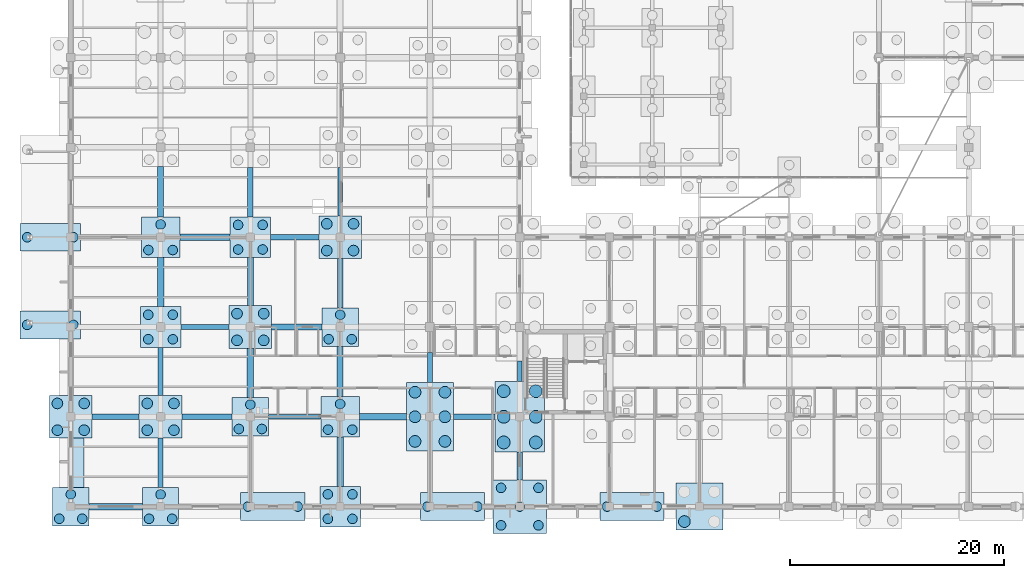
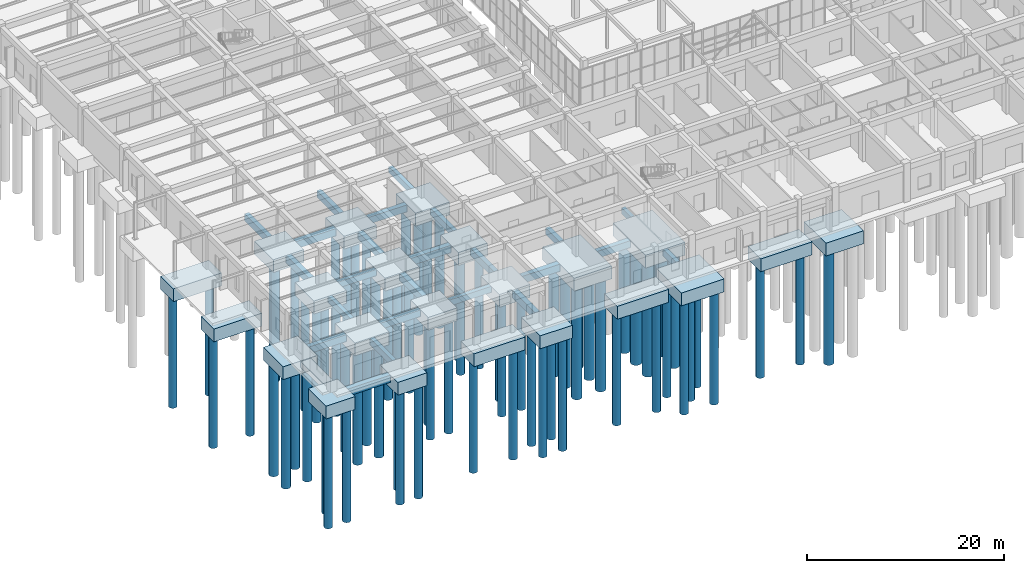
# One storey, part 1 of 192: 74 piles, 47 footings.
"""IFC4 building model written with IfcOpenShell, lengths in metres."""

from ifc_helpers import new_model, si_unit, direction, frame, origin, origin_2d, place, context, subcontext, project, spatial, rectangle, circle, extrude, material, layer, layer_set, material_profile, profile_set, type_object, element, save


model = new_model("IFC4")

# Units and contexts
model_context = context("Model", 3, precision=1e-05, world=origin(), true_north=direction((0.0, 1.0)))
body_context = subcontext(model_context, "Body", "Model", "MODEL_VIEW")
ifc_project = project(units=[si_unit("LENGTHUNIT", "METRE"), si_unit("AREAUNIT", "SQUARE_METRE"), si_unit("VOLUMEUNIT", "CUBIC_METRE"), si_unit("PLANEANGLEUNIT", "RADIAN"), si_unit("MASSUNIT", "GRAM", prefix="KILO")], contexts=[model_context])

# Site, building, storey
site_placement = place(None, origin())
site = spatial("IfcSite", under=ifc_project, at=site_placement, CompositionType="ELEMENT")
building_placement = place(site_placement, origin())
building = spatial("IfcBuilding", under=site, at=building_placement, Name="Trelvath General Hospital", CompositionType="ELEMENT")
storey_placement = place(building_placement, origin())
storey = spatial("IfcBuildingStorey", under=building, at=storey_placement, Name="L00", CompositionType="ELEMENT", Elevation=0.0)

# Piles
ifc_material_1 = material(Name="Concrete C35/45", Category="concrete")
ifc_material_profile_1 = material_profile(ifc_material_1, circle(Radius=0.5, at=origin_2d()), Name="PILE1000")
ifc_profile_set_1 = profile_set([ifc_material_profile_1], Name="Concrete C35/45")
pile_type_1 = type_object("IfcPileType", Name="BoredPile D1000", PredefinedType="BORED", material=ifc_profile_set_1)
for number, where, z_axis, x_axis, name in (
    (1, (-1.25, 7.14990234375, -1.800048828125), (0.0, 0.0, -1.0), (1.0, 0.0, 0.0), "Bored Pile P-0010"),
    (2, (1.25, 7.14990234375, -1.800048828125), (0.0, 0.0, -1.0), (1.0, 0.0, 0.0), "Bored Pile P-0011"),
    (3, (-1.25, 9.64990234375, -1.800048828125), (0.0, 0.0, -1.0), (1.0, 0.0, 0.0), "Bored Pile P-0012"),
    (4, (1.25, 9.64990234375, -1.800048828125), (0.0, 0.0, -1.0), (1.0, 0.0, 0.0), "Bored Pile P-0013"),
    (5, (7.14990234375, 7.14990234375, -1.800048828125), (0.0, 0.0, -1.0), (1.0, 0.0, 0.0), "Bored Pile P-0052"),
    (6, (9.64990234375, 7.14990234375, -1.800048828125), (0.0, 0.0, -1.0), (1.0, 0.0, 0.0), "Bored Pile P-0053"),
    (7, (7.14990234375, 9.64990234375, -1.800048828125), (0.0, 0.0, -1.0), (1.0, 0.0, 0.0), "Bored Pile P-0054"),
    (8, (9.64990234375, 9.64990234375, -1.800048828125), (0.0, 0.0, -1.0), (1.0, 0.0, 0.0), "Bored Pile P-0055"),
    (9, (15.550048828125, 15.550048828125, -1.800048828125), (0.0, 0.0, -1.0), (1.0, 0.0, 0.0), "Bored Pile P-0119"),
    (10, (18.050048828125, 15.550048828125, -1.800048828125), (0.0, 0.0, -1.0), (1.0, 0.0, 0.0), "Bored Pile P-0120"),
    (11, (15.550048828125, 18.050048828125, -1.800048828125), (0.0, 0.0, -1.0), (1.0, 0.0, 0.0), "Bored Pile P-0121"),
    (12, (18.050048828125, 18.050048828125, -1.800048828125), (0.0, 0.0, -1.0), (1.0, 0.0, 0.0), "Bored Pile P-0122"),
    (13, (23.949951171875, 23.949951171875, -1.800048828125), (0.0, 0.0, -1.0), (1.0, 0.0, 0.0), "Bored Pile P-0185"),
    (14, (26.449951171875, 23.949951171875, -1.800048828125), (0.0, 0.0, -1.0), (1.0, 0.0, 0.0), "Bored Pile P-0186"),
    (15, (23.949951171875, 26.449951171875, -1.800048828125), (0.0, 0.0, -1.0), (1.0, 0.0, 0.0), "Bored Pile P-0187"),
    (16, (26.449951171875, 26.449951171875, -1.800048828125), (0.0, 0.0, -1.0), (1.0, 0.0, 0.0), "Bored Pile P-0188"),
):
    element("IfcPile", number, at=place(storey_placement, frame(where, z_axis=z_axis, x_axis=x_axis)), inside=storey, type_object=pile_type_1, Name=name, PredefinedType="BORED", context=body_context, shape_type="SweptSolid", body=[
        extrude(circle(Radius=0.5, at=origin_2d()), origin(), (0.0, 0.0, 1.0), 14.0),
    ])
ifc_material_2 = material(Name="Concrete C35/45", Category="concrete")
ifc_material_profile_2 = material_profile(ifc_material_2, circle(Radius=0.550048828125, at=origin_2d()), Name="PILE1100")
ifc_profile_set_2 = profile_set([ifc_material_profile_2], Name="Concrete C35/45")
pile_type_2 = type_object("IfcPileType", Name="BoredPile D1100", PredefinedType="BORED", material=ifc_profile_set_2)
for number, where, z_axis, x_axis, name in (
    (17, (32.199951171875, 6.10009765625, -1.800048828125), (0.0, 0.0, -1.0), (1.0, 0.0, 0.0), "Bored Pile P-0241"),
    (18, (35.0, 6.10009765625, -1.800048828125), (0.0, 0.0, -1.0), (1.0, 0.0, 0.0), "Bored Pile P-0242"),
    (19, (32.199951171875, 8.39990234375, -1.800048828125), (0.0, 0.0, -1.0), (1.0, 0.0, 0.0), "Bored Pile P-0243"),
    (20, (35.0, 8.39990234375, -1.800048828125), (0.0, 0.0, -1.0), (1.0, 0.0, 0.0), "Bored Pile P-0244"),
    (21, (32.199951171875, 10.699951171875, -1.800048828125), (0.0, 0.0, -1.0), (1.0, 0.0, 0.0), "Bored Pile P-0245"),
    (22, (35.0, 10.699951171875, -1.800048828125), (0.0, 0.0, -1.0), (1.0, 0.0, 0.0), "Bored Pile P-0246"),
    (23, (57.39990234375, -1.39990234375, -1.800048828125), (0.0, 0.0, -1.0), (1.0, 0.0, 0.0), "Bored Pile P-0428"),
):
    element("IfcPile", number, at=place(storey_placement, frame(where, z_axis=z_axis, x_axis=x_axis)), inside=storey, type_object=pile_type_2, Name=name, PredefinedType="BORED", context=body_context, shape_type="SweptSolid", body=[
        extrude(circle(Radius=0.550048828125, at=origin_2d()), origin(), (0.0, 0.0, 1.0), 14.0),
    ])
ifc_material_3 = material(Name="Concrete C35/45", Category="concrete")
ifc_material_profile_3 = material_profile(ifc_material_3, circle(Radius=0.60009765625, at=origin_2d()), Name="PILE1200")
ifc_profile_set_3 = profile_set([ifc_material_profile_3], Name="Concrete C35/45")
pile_type_3 = type_object("IfcPileType", Name="BoredPile D1200", PredefinedType="BORED", material=ifc_profile_set_3)
for number, where, z_axis, x_axis, name in (
    (24, (40.5, 6.0, -1.800048828125), (0.0, 0.0, -1.0), (1.0, 0.0, 0.0), "Bored Pile P-0305"),
    (25, (43.5, 6.0, -1.800048828125), (0.0, 0.0, -1.0), (1.0, 0.0, 0.0), "Bored Pile P-0306"),
    (26, (40.5, 8.39990234375, -1.800048828125), (0.0, 0.0, -1.0), (1.0, 0.0, 0.0), "Bored Pile P-0307"),
    (27, (43.5, 8.39990234375, -1.800048828125), (0.0, 0.0, -1.0), (1.0, 0.0, 0.0), "Bored Pile P-0308"),
    (28, (40.5, 10.800048828125, -1.800048828125), (0.0, 0.0, -1.0), (1.0, 0.0, 0.0), "Bored Pile P-0309"),
    (29, (43.5, 10.800048828125, -1.800048828125), (0.0, 0.0, -1.0), (1.0, 0.0, 0.0), "Bored Pile P-0310"),
):
    element("IfcPile", number, at=place(storey_placement, frame(where, z_axis=z_axis, x_axis=x_axis)), inside=storey, type_object=pile_type_3, Name=name, PredefinedType="BORED", context=body_context, shape_type="SweptSolid", body=[
        extrude(circle(Radius=0.60009765625, at=origin_2d()), origin(), (0.0, 0.0, 1.0), 14.0),
    ])
ifc_material_4 = material(Name="Concrete C35/45", Category="concrete")
ifc_material_profile_4 = material_profile(ifc_material_4, circle(Radius=0.449951171875, at=origin_2d()), Name="PILE900")
ifc_profile_set_4 = profile_set([ifc_material_profile_4], Name="Concrete C35/45")
pile_type_4 = type_object("IfcPileType", Name="BoredPile D900", PredefinedType="BORED", material=ifc_profile_set_4)
for number, where, z_axis, x_axis, name in (
    (30, (-4.080078125, 17.0, -1.800048828125), (0.0, 0.0, -1.0), (1.0, 0.0, 0.0), "Bored Pile P-0001"),
    (31, (0.22998046875, 17.0, -1.800048828125), (0.0, 0.0, -1.0), (1.0, 0.0, 0.0), "Bored Pile P-0002"),
    (32, (-4.080078125, 25.199951171875, -1.800048828125), (0.0, 0.0, -1.0), (1.0, 0.0, 0.0), "Bored Pile P-0003"),
    (33, (0.22998046875, 25.199951171875, -1.800048828125), (0.0, 0.0, -1.0), (1.0, 0.0, 0.0), "Bored Pile P-0004"),
    (34, (-1.080078125, -1.139892578125, -1.800048828125), (0.0, 0.0, -1.0), (1.0, 0.0, 0.0), "Bored Pile P-0007"),
    (35, (1.080078125, -1.139892578125, -1.800048828125), (0.0, 0.0, -1.0), (1.0, 0.0, 0.0), "Bored Pile P-0008"),
    (36, (0.0, 1.139892578125, -1.800048828125), (0.0, 0.0, -1.0), (1.0, 0.0, 0.0), "Bored Pile P-0009"),
    (37, (7.320068359375, -1.139892578125, -1.800048828125), (0.0, 0.0, -1.0), (1.0, 0.0, 0.0), "Bored Pile P-0049"),
    (38, (9.47998046875, -1.139892578125, -1.800048828125), (0.0, 0.0, -1.0), (1.0, 0.0, 0.0), "Bored Pile P-0050"),
    (39, (8.39990234375, 1.139892578125, -1.800048828125), (0.0, 0.0, -1.0), (1.0, 0.0, 0.0), "Bored Pile P-0051"),
    (40, (7.25, 15.64990234375, -1.800048828125), (0.0, 0.0, -1.0), (1.0, 0.0, 0.0), "Bored Pile P-0056"),
    (41, (9.550048828125, 15.64990234375, -1.800048828125), (0.0, 0.0, -1.0), (1.0, 0.0, 0.0), "Bored Pile P-0057"),
    (42, (7.25, 17.949951171875, -1.800048828125), (0.0, 0.0, -1.0), (1.0, 0.0, 0.0), "Bored Pile P-0058"),
    (43, (9.550048828125, 17.949951171875, -1.800048828125), (0.0, 0.0, -1.0), (1.0, 0.0, 0.0), "Bored Pile P-0059"),
    (44, (7.260009765625, 24.0, -1.800048828125), (0.0, 0.0, -1.0), (1.0, 0.0, 0.0), "Bored Pile P-0060"),
    (45, (9.5400390625, 24.0, -1.800048828125), (0.0, 0.0, -1.0), (1.0, 0.0, 0.0), "Bored Pile P-0061"),
    (46, (8.39990234375, 26.39990234375, -1.800048828125), (0.0, 0.0, -1.0), (1.0, 0.0, 0.0), "Bored Pile P-0062"),
    (47, (16.570068359375, 0.0, -1.800048828125), (0.0, 0.0, -1.0), (1.0, 0.0, 0.0), "Bored Pile P-0114"),
    (48, (21.22998046875, 0.0, -1.800048828125), (0.0, 0.0, -1.0), (1.0, 0.0, 0.0), "Bored Pile P-0115"),
    (49, (15.719970703125, 7.260009765625, -1.800048828125), (0.0, 0.0, -1.0), (1.0, 0.0, 0.0), "Bored Pile P-0116"),
    (50, (17.8798828125, 7.260009765625, -1.800048828125), (0.0, 0.0, -1.0), (1.0, 0.0, 0.0), "Bored Pile P-0117"),
    (51, (16.800048828125, 9.5400390625, -1.800048828125), (0.0, 0.0, -1.0), (1.0, 0.0, 0.0), "Bored Pile P-0118"),
    (52, (15.64990234375, 24.050048828125, -1.800048828125), (0.0, 0.0, -1.0), (1.0, 0.0, 0.0), "Bored Pile P-0123"),
    (53, (17.949951171875, 24.050048828125, -1.800048828125), (0.0, 0.0, -1.0), (1.0, 0.0, 0.0), "Bored Pile P-0124"),
    (54, (15.64990234375, 26.35009765625, -1.800048828125), (0.0, 0.0, -1.0), (1.0, 0.0, 0.0), "Bored Pile P-0125"),
    (55, (17.949951171875, 26.35009765625, -1.800048828125), (0.0, 0.0, -1.0), (1.0, 0.0, 0.0), "Bored Pile P-0126"),
    (56, (24.050048828125, -1.14990234375, -1.800048828125), (0.0, 0.0, -1.0), (1.0, 0.0, 0.0), "Bored Pile P-0175"),
    (57, (26.35009765625, -1.14990234375, -1.800048828125), (0.0, 0.0, -1.0), (1.0, 0.0, 0.0), "Bored Pile P-0176"),
    (58, (24.050048828125, 1.14990234375, -1.800048828125), (0.0, 0.0, -1.0), (1.0, 0.0, 0.0), "Bored Pile P-0177"),
    (59, (26.35009765625, 1.14990234375, -1.800048828125), (0.0, 0.0, -1.0), (1.0, 0.0, 0.0), "Bored Pile P-0178"),
    (60, (24.06005859375, 7.199951171875, -1.800048828125), (0.0, 0.0, -1.0), (1.0, 0.0, 0.0), "Bored Pile P-0179"),
    (61, (26.340087890625, 7.199951171875, -1.800048828125), (0.0, 0.0, -1.0), (1.0, 0.0, 0.0), "Bored Pile P-0180"),
    (62, (25.199951171875, 9.60009765625, -1.800048828125), (0.0, 0.0, -1.0), (1.0, 0.0, 0.0), "Bored Pile P-0181"),
    (63, (24.1201171875, 15.659912109375, -1.800048828125), (0.0, 0.0, -1.0), (1.0, 0.0, 0.0), "Bored Pile P-0182"),
    (64, (26.280029296875, 15.659912109375, -1.800048828125), (0.0, 0.0, -1.0), (1.0, 0.0, 0.0), "Bored Pile P-0183"),
    (65, (25.199951171875, 17.93994140625, -1.800048828125), (0.0, 0.0, -1.0), (1.0, 0.0, 0.0), "Bored Pile P-0184"),
    (66, (33.3701171875, 0.0, -1.800048828125), (0.0, 0.0, -1.0), (1.0, 0.0, 0.0), "Bored Pile P-0239"),
    (67, (38.030029296875, 0.0, -1.800048828125), (0.0, 0.0, -1.0), (1.0, 0.0, 0.0), "Bored Pile P-0240"),
    (68, (40.25, -1.75, -1.800048828125), (0.0, 0.0, -1.0), (1.0, 0.0, 0.0), "Bored Pile P-0300"),
    (69, (43.75, -1.75, -1.800048828125), (0.0, 0.0, -1.0), (1.0, 0.0, 0.0), "Bored Pile P-0301"),
    (70, (42.0, 0.0, -1.800048828125), (0.0, 0.0, -1.0), (1.0, 0.0, 0.0), "Bored Pile P-0302"),
    (71, (40.25, 1.75, -1.800048828125), (0.0, 0.0, -1.0), (1.0, 0.0, 0.0), "Bored Pile P-0303"),
    (72, (43.75, 1.75, -1.800048828125), (0.0, 0.0, -1.0), (1.0, 0.0, 0.0), "Bored Pile P-0304"),
    (73, (50.169921875, 0.0, -1.800048828125), (0.0, 0.0, -1.0), (1.0, 0.0, 0.0), "Bored Pile P-0380"),
    (74, (54.830078125, 0.0, -1.800048828125), (0.0, 0.0, -1.0), (1.0, 0.0, 0.0), "Bored Pile P-0381"),
):
    element("IfcPile", number, at=place(storey_placement, frame(where, z_axis=z_axis, x_axis=x_axis)), inside=storey, type_object=pile_type_4, Name=name, PredefinedType="BORED", context=body_context, shape_type="SweptSolid", body=[
        extrude(circle(Radius=0.449951171875, at=origin_2d()), origin(), (0.0, 0.0, 1.0), 14.0),
    ])

# Footings
ifc_material_5 = material(Name="Concrete C35/45", Category="concrete")
ifc_layer_1 = layer(ifc_material_5, 1.60009765625)
ifc_layer_set_1 = layer_set([ifc_layer_1], Name="Concrete C35/45")
footing_type_1 = type_object("IfcFootingType", Name="PileCap 3P 340x360", PredefinedType="PILE_CAP", material=ifc_layer_set_1)
for number, where, z_axis, x_axis, name in (
    (75, (0.0, 0.0, -1.900146484375), (0.0, 0.0, 1.0), (1.0, 0.0, 0.0), "Pile Cap PC-004"),
    (76, (8.39990234375, 0.0, -1.900146484375), (0.0, 0.0, 1.0), (1.0, 0.0, 0.0), "Pile Cap PC-016"),
    (77, (16.800048828125, 8.39990234375, -1.900146484375), (0.0, 0.0, 1.0), (1.0, 0.0, 0.0), "Pile Cap PC-032"),
    (78, (25.199951171875, 16.800048828125, -1.900146484375), (0.0, 0.0, 1.0), (1.0, 0.0, 0.0), "Pile Cap PC-048"),
):
    element("IfcFooting", number, at=place(storey_placement, frame(where, z_axis=z_axis, x_axis=x_axis)), inside=storey, type_object=footing_type_1, Name=name, PredefinedType="PILE_CAP", context=body_context, shape_type="SweptSolid", body=[
        extrude(rectangle(XDim=3.39990234375, YDim=3.60009765625, at=origin_2d()), origin(), (0.0, 0.0, 1.0), 1.60009765625),
    ])
ifc_material_6 = material(Name="Concrete C35/45", Category="concrete")
ifc_layer_2 = layer(ifc_material_6, 1.60009765625)
ifc_layer_set_2 = layer_set([ifc_layer_2], Name="Concrete C35/45")
footing_type_2 = type_object("IfcFootingType", Name="PileCap 3P 360x380", PredefinedType="PILE_CAP", material=ifc_layer_set_2)
for number, where, z_axis, x_axis, name in (
    (79, (8.39990234375, 25.199951171875, -1.900146484375), (0.0, 0.0, 1.0), (1.0, 0.0, 0.0), "Pile Cap PC-019"),
    (80, (25.199951171875, 8.39990234375, -1.900146484375), (0.0, 0.0, 1.0), (1.0, 0.0, 0.0), "Pile Cap PC-047"),
):
    element("IfcFooting", number, at=place(storey_placement, frame(where, z_axis=z_axis, x_axis=x_axis)), inside=storey, type_object=footing_type_2, Name=name, PredefinedType="PILE_CAP", context=body_context, shape_type="SweptSolid", body=[
        extrude(rectangle(XDim=3.60009765625, YDim=3.800048828125, at=origin_2d()), origin(), (0.0, 0.0, 1.0), 1.60009765625),
    ])
ifc_material_7 = material(Name="Concrete C35/45", Category="concrete")
ifc_layer_3 = layer(ifc_material_7, 1.60009765625)
ifc_layer_set_3 = layer_set([ifc_layer_3], Name="Concrete C35/45")
footing_type_3 = type_object("IfcFootingType", Name="PileCap 4P 380x380", PredefinedType="PILE_CAP", material=ifc_layer_set_3)
for number, where, z_axis, x_axis, name in (
    (81, (8.39990234375, 16.800048828125, -1.900146484375), (0.0, 0.0, 1.0), (1.0, 0.0, 0.0), "Pile Cap PC-018"),
    (82, (16.800048828125, 25.199951171875, -1.900146484375), (0.0, 0.0, 1.0), (1.0, 0.0, 0.0), "Pile Cap PC-034"),
    (83, (25.199951171875, 0.0, -1.900146484375), (0.0, 0.0, 1.0), (1.0, 0.0, 0.0), "Pile Cap PC-046"),
):
    element("IfcFooting", number, at=place(storey_placement, frame(where, z_axis=z_axis, x_axis=x_axis)), inside=storey, type_object=footing_type_3, Name=name, PredefinedType="PILE_CAP", context=body_context, shape_type="SweptSolid", body=[
        extrude(rectangle(XDim=3.800048828125, YDim=3.800048828125, at=origin_2d()), origin(), (0.0, 0.0, 1.0), 1.60009765625),
    ])
ifc_material_8 = material(Name="Concrete C35/45", Category="concrete")
ifc_layer_4 = layer(ifc_material_8, 1.60009765625)
ifc_layer_set_4 = layer_set([ifc_layer_4], Name="Concrete C35/45")
footing_type_4 = type_object("IfcFootingType", Name="PileCap 4P 400x400", PredefinedType="PILE_CAP", material=ifc_layer_set_4)
for number, where, z_axis, x_axis, name in (
    (84, (0.0, 8.39990234375, -1.900146484375), (0.0, 0.0, 1.0), (1.0, 0.0, 0.0), "Pile Cap PC-005"),
    (85, (8.39990234375, 8.39990234375, -1.900146484375), (0.0, 0.0, 1.0), (1.0, 0.0, 0.0), "Pile Cap PC-017"),
    (86, (16.800048828125, 16.800048828125, -1.900146484375), (0.0, 0.0, 1.0), (1.0, 0.0, 0.0), "Pile Cap PC-033"),
    (87, (25.199951171875, 25.199951171875, -1.900146484375), (0.0, 0.0, 1.0), (1.0, 0.0, 0.0), "Pile Cap PC-049"),
):
    element("IfcFooting", number, at=place(storey_placement, frame(where, z_axis=z_axis, x_axis=x_axis)), inside=storey, type_object=footing_type_4, Name=name, PredefinedType="PILE_CAP", context=body_context, shape_type="SweptSolid", body=[
        extrude(rectangle(XDim=4.0, YDim=4.0, at=origin_2d()), origin(), (0.0, 0.0, 1.0), 1.60009765625),
    ])
ifc_material_9 = material(Name="Concrete C35/45", Category="concrete")
ifc_layer_5 = layer(ifc_material_9, 1.60009765625)
ifc_layer_set_5 = layer_set([ifc_layer_5], Name="Concrete C35/45")
footing_type_5 = type_object("IfcFootingType", Name="PileCap 4P 440x440", PredefinedType="PILE_CAP", material=ifc_layer_set_5)
footing_1_placement = place(storey_placement, frame((58.800048828125, 0.0, -1.900146484375), z_axis=(0.0, 0.0, 1.0), x_axis=(1.0, 0.0, 0.0)))
element("IfcFooting", 88, at=footing_1_placement, inside=storey, type_object=footing_type_5, Name="Pile Cap PC-113", PredefinedType="PILE_CAP", context=body_context, shape_type="SweptSolid", body=[
    extrude(rectangle(XDim=4.39990234375, YDim=4.39990234375, at=origin_2d()), origin(), (0.0, 0.0, 1.0), 1.60009765625),
])
ifc_material_10 = material(Name="Concrete C35/45", Category="concrete")
ifc_layer_6 = layer(ifc_material_10, 1.60009765625)
ifc_layer_set_6 = layer_set([ifc_layer_6], Name="Concrete C35/45")
footing_type_6 = type_object("IfcFootingType", Name="PileCap 5P 500x500", PredefinedType="PILE_CAP", material=ifc_layer_set_6)
footing_2_placement = place(storey_placement, frame((42.0, 0.0, -1.900146484375), z_axis=(0.0, 0.0, 1.0), x_axis=(1.0, 0.0, 0.0)))
element("IfcFooting", 89, at=footing_2_placement, inside=storey, type_object=footing_type_6, Name="Pile Cap PC-076", PredefinedType="PILE_CAP", context=body_context, shape_type="SweptSolid", body=[
    extrude(rectangle(XDim=5.0, YDim=5.0, at=origin_2d()), origin(), (0.0, 0.0, 1.0), 1.60009765625),
])
ifc_material_11 = material(Name="Concrete C35/45", Category="concrete")
ifc_layer_7 = layer(ifc_material_11, 1.60009765625)
ifc_layer_set_7 = layer_set([ifc_layer_7], Name="Concrete C35/45")
footing_type_7 = type_object("IfcFootingType", Name="PileCap 6P 440x640", PredefinedType="PILE_CAP", material=ifc_layer_set_7)
footing_3_placement = place(storey_placement, frame((33.60009765625, 8.39990234375, -1.900146484375), z_axis=(0.0, 0.0, 1.0), x_axis=(1.0, 0.0, 0.0)))
element("IfcFooting", 90, at=footing_3_placement, inside=storey, type_object=footing_type_7, Name="Pile Cap PC-062", PredefinedType="PILE_CAP", context=body_context, shape_type="SweptSolid", body=[
    extrude(rectangle(XDim=4.39990234375, YDim=6.39990234375, at=origin_2d()), origin(), (0.0, 0.0, 1.0), 1.60009765625),
])
ifc_material_12 = material(Name="Concrete C35/45", Category="concrete")
ifc_layer_8 = layer(ifc_material_12, 1.60009765625)
ifc_layer_set_8 = layer_set([ifc_layer_8], Name="Concrete C35/45")
footing_type_8 = type_object("IfcFootingType", Name="PileCap 6P 460x660", PredefinedType="PILE_CAP", material=ifc_layer_set_8)
footing_4_placement = place(storey_placement, frame((42.0, 8.39990234375, -1.900146484375), z_axis=(0.0, 0.0, 1.0), x_axis=(1.0, 0.0, 0.0)))
element("IfcFooting", 91, at=footing_4_placement, inside=storey, type_object=footing_type_8, Name="Pile Cap PC-077", PredefinedType="PILE_CAP", context=body_context, shape_type="SweptSolid", body=[
    extrude(rectangle(XDim=4.60009765625, YDim=6.60009765625, at=origin_2d()), origin(), (0.0, 0.0, 1.0), 1.60009765625),
])
ifc_material_13 = material(Name="Concrete C35/45", Category="concrete")
ifc_layer_9 = layer(ifc_material_13, 1.60009765625)
ifc_layer_set_9 = layer_set([ifc_layer_9], Name="Concrete C35/45")
footing_type_9 = type_object("IfcFootingType", Name="PileCap Comb 565x260", PredefinedType="PILE_CAP", material=ifc_layer_set_9)
for number, where, z_axis, x_axis, name in (
    (92, (-1.925048828125, 17.0, -1.900146484375), (0.0, 0.0, 1.0), (1.0, 0.0, 0.0), "Pile Cap PC-001"),
    (93, (-1.925048828125, 25.199951171875, -1.900146484375), (0.0, 0.0, 1.0), (1.0, 0.0, 0.0), "Pile Cap PC-002"),
):
    element("IfcFooting", number, at=place(storey_placement, frame(where, z_axis=z_axis, x_axis=x_axis)), inside=storey, type_object=footing_type_9, Name=name, PredefinedType="PILE_CAP", context=body_context, shape_type="SweptSolid", body=[
        extrude(rectangle(XDim=5.64990234375, YDim=2.60009765625, at=origin_2d()), origin(), (0.0, 0.0, 1.0), 1.60009765625),
    ])
ifc_material_14 = material(Name="Concrete C35/45", Category="concrete")
ifc_layer_10 = layer(ifc_material_14, 1.60009765625)
ifc_layer_set_10 = layer_set([ifc_layer_10], Name="Concrete C35/45")
footing_type_10 = type_object("IfcFootingType", Name="PileCap Comb 600x260", PredefinedType="PILE_CAP", material=ifc_layer_set_10)
for number, where, z_axis, x_axis, name in (
    (94, (18.89990234375, 0.0, -1.900146484375), (0.0, 0.0, 1.0), (1.0, 0.0, 0.0), "Pile Cap PC-031"),
    (95, (35.699951171875, 0.0, -1.900146484375), (0.0, 0.0, 1.0), (1.0, 0.0, 0.0), "Pile Cap PC-061"),
    (96, (52.5, 0.0, -1.900146484375), (0.0, 0.0, 1.0), (1.0, 0.0, 0.0), "Pile Cap PC-098"),
):
    element("IfcFooting", number, at=place(storey_placement, frame(where, z_axis=z_axis, x_axis=x_axis)), inside=storey, type_object=footing_type_10, Name=name, PredefinedType="PILE_CAP", context=body_context, shape_type="SweptSolid", body=[
        extrude(rectangle(XDim=6.0, YDim=2.60009765625, at=origin_2d()), origin(), (0.0, 0.0, 1.0), 1.60009765625),
    ])
ifc_material_15 = material(Name="Concrete C35/45", Category="concrete")
ifc_layer_11 = layer(ifc_material_15, 0.699951171875)
ifc_layer_set_11 = layer_set([ifc_layer_11], Name="Concrete C35/45")
footing_type_11 = type_object("IfcFootingType", Name="StripFooting 1200x700", PredefinedType="STRIP_FOOTING", material=ifc_layer_set_11)
footing_5_placement = place(storey_placement, frame((0.64990234375, 4.10009765625, -1.06005859375), z_axis=(0.0, 0.0, 1.0), x_axis=(1.0, 0.0, 0.0)))
element("IfcFooting", 97, at=footing_5_placement, inside=storey, type_object=footing_type_11, Name="Radiation Wall Strip Footing SF-01", PredefinedType="STRIP_FOOTING", context=body_context, shape_type="SweptSolid", body=[
    extrude(rectangle(XDim=1.199951171875, YDim=4.60009765625, at=origin_2d()), origin(), (0.0, 0.0, 1.0), 0.699951171875),
])
ifc_material_16 = material(Name="Concrete C35/45", Category="concrete")
ifc_layer_12 = layer(ifc_material_16, 0.75)
ifc_layer_set_12 = layer_set([ifc_layer_12], Name="Concrete C35/45")
footing_type_12 = type_object("IfcFootingType", Name="TieBeam 450x750", PredefinedType="FOOTING_BEAM", material=ifc_layer_set_12)
footing_6_placement = place(storey_placement, frame((8.39990234375, 12.64990234375, -1.050048828125), z_axis=(0.0, 0.0, 1.0), x_axis=(1.0, 0.0, 0.0)))
element("IfcFooting", 98, at=footing_6_placement, inside=storey, type_object=footing_type_12, Name="Foundation Tie Beam TB-017", PredefinedType="FOOTING_BEAM", context=body_context, shape_type="SweptSolid", body=[
    extrude(rectangle(XDim=0.449951171875, YDim=4.5, at=origin_2d()), origin(), (0.0, 0.0, 1.0), 0.75),
])
footing_7_placement = place(storey_placement, frame((12.550048828125, 16.800048828125, -1.050048828125), z_axis=(0.0, 0.0, 1.0), x_axis=(1.0, 0.0, 0.0)))
element("IfcFooting", 99, at=footing_7_placement, inside=storey, type_object=footing_type_12, Name="Foundation Tie Beam TB-018", PredefinedType="FOOTING_BEAM", context=body_context, shape_type="SweptSolid", body=[
    extrude(rectangle(XDim=4.5, YDim=0.449951171875, at=origin_2d()), origin(), (0.0, 0.0, 1.0), 0.75),
])
footing_8_placement = place(storey_placement, frame((20.949951171875, 8.39990234375, -1.050048828125), z_axis=(0.0, 0.0, 1.0), x_axis=(1.0, 0.0, 0.0)))
element("IfcFooting", 100, at=footing_8_placement, inside=storey, type_object=footing_type_12, Name="Foundation Tie Beam TB-042", PredefinedType="FOOTING_BEAM", context=body_context, shape_type="SweptSolid", body=[
    extrude(rectangle(XDim=4.89990234375, YDim=0.449951171875, at=origin_2d()), origin(), (0.0, 0.0, 1.0), 0.75),
])
footing_9_placement = place(storey_placement, frame((25.199951171875, 29.449951171875, -1.050048828125), z_axis=(0.0, 0.0, 1.0), x_axis=(1.0, 0.0, 0.0)))
element("IfcFooting", 101, at=footing_9_placement, inside=storey, type_object=footing_type_12, Name="Foundation Tie Beam TB-073", PredefinedType="FOOTING_BEAM", context=body_context, shape_type="SweptSolid", body=[
    extrude(rectangle(XDim=0.449951171875, YDim=4.5, at=origin_2d()), origin(), (0.0, 0.0, 1.0), 0.75),
])
footing_10_placement = place(storey_placement, frame((42.0, 12.64990234375, -1.050048828125), z_axis=(0.0, 0.0, 1.0), x_axis=(1.0, 0.0, 0.0)))
element("IfcFooting", 102, at=footing_10_placement, inside=storey, type_object=footing_type_12, Name="Foundation Tie Beam TB-121", PredefinedType="FOOTING_BEAM", context=body_context, shape_type="SweptSolid", body=[
    extrude(rectangle(XDim=0.449951171875, YDim=1.89990234375, at=origin_2d()), origin(), (0.0, 0.0, 1.0), 0.75),
])
ifc_material_17 = material(Name="Concrete C35/45", Category="concrete")
ifc_layer_13 = layer(ifc_material_17, 0.800048828125)
ifc_layer_set_13 = layer_set([ifc_layer_13], Name="Concrete C35/45")
footing_type_13 = type_object("IfcFootingType", Name="TieBeam 500x800", PredefinedType="FOOTING_BEAM", material=ifc_layer_set_13)
footing_11_placement = place(storey_placement, frame((8.39990234375, 4.10009765625, -1.10009765625), z_axis=(0.0, 0.0, 1.0), x_axis=(1.0, 0.0, 0.0)))
element("IfcFooting", 103, at=footing_11_placement, inside=storey, type_object=footing_type_13, Name="Foundation Tie Beam TB-015", PredefinedType="FOOTING_BEAM", context=body_context, shape_type="SweptSolid", body=[
    extrude(rectangle(XDim=0.5, YDim=4.60009765625, at=origin_2d()), origin(), (0.0, 0.0, 1.0), 0.800048828125),
])
footing_12_placement = place(storey_placement, frame((12.75, 8.39990234375, -1.10009765625), z_axis=(0.0, 0.0, 1.0), x_axis=(1.0, 0.0, 0.0)))
element("IfcFooting", 104, at=footing_12_placement, inside=storey, type_object=footing_type_13, Name="Foundation Tie Beam TB-016", PredefinedType="FOOTING_BEAM", context=body_context, shape_type="SweptSolid", body=[
    extrude(rectangle(XDim=4.699951171875, YDim=0.5, at=origin_2d()), origin(), (0.0, 0.0, 1.0), 0.800048828125),
])
for number, where, z_axis, x_axis, name in (
    (105, (16.800048828125, 29.39990234375, -1.10009765625), (0.0, 0.0, 1.0), (1.0, 0.0, 0.0), "Foundation Tie Beam TB-047"),
    (106, (25.199951171875, 20.89990234375, -1.10009765625), (0.0, 0.0, 1.0), (1.0, 0.0, 0.0), "Foundation Tie Beam TB-071"),
):
    element("IfcFooting", number, at=place(storey_placement, frame(where, z_axis=z_axis, x_axis=x_axis)), inside=storey, type_object=footing_type_13, Name=name, PredefinedType="FOOTING_BEAM", context=body_context, shape_type="SweptSolid", body=[
        extrude(rectangle(XDim=0.5, YDim=4.60009765625, at=origin_2d()), origin(), (0.0, 0.0, 1.0), 0.800048828125),
    ])
footing_13_placement = place(storey_placement, frame((33.60009765625, 13.0, -1.10009765625), z_axis=(0.0, 0.0, 1.0), x_axis=(1.0, 0.0, 0.0)))
element("IfcFooting", 107, at=footing_13_placement, inside=storey, type_object=footing_type_13, Name="Foundation Tie Beam TB-095", PredefinedType="FOOTING_BEAM", context=body_context, shape_type="SweptSolid", body=[
    extrude(rectangle(XDim=0.5, YDim=2.800048828125, at=origin_2d()), origin(), (0.0, 0.0, 1.0), 0.800048828125),
])
footing_14_placement = place(storey_placement, frame((42.0, 3.800048828125, -1.10009765625), z_axis=(0.0, 0.0, 1.0), x_axis=(1.0, 0.0, 0.0)))
element("IfcFooting", 108, at=footing_14_placement, inside=storey, type_object=footing_type_13, Name="Foundation Tie Beam TB-119", PredefinedType="FOOTING_BEAM", context=body_context, shape_type="SweptSolid", body=[
    extrude(rectangle(XDim=0.5, YDim=2.60009765625, at=origin_2d()), origin(), (0.0, 0.0, 1.0), 0.800048828125),
])
ifc_material_18 = material(Name="Concrete C35/45", Category="concrete")
ifc_layer_14 = layer(ifc_material_18, 0.85009765625)
ifc_layer_set_14 = layer_set([ifc_layer_14], Name="Concrete C35/45")
footing_type_14 = type_object("IfcFootingType", Name="TieBeam 550x850", PredefinedType="FOOTING_BEAM", material=ifc_layer_set_14)
footing_15_placement = place(storey_placement, frame((4.199951171875, 8.39990234375, -1.150146484375), z_axis=(0.0, 0.0, 1.0), x_axis=(1.0, 0.0, 0.0)))
element("IfcFooting", 109, at=footing_15_placement, inside=storey, type_object=footing_type_14, Name="Foundation Tie Beam TB-002", PredefinedType="FOOTING_BEAM", context=body_context, shape_type="SweptSolid", body=[
    extrude(rectangle(XDim=4.39990234375, YDim=0.550048828125, at=origin_2d()), origin(), (0.0, 0.0, 1.0), 0.85009765625),
])
footing_16_placement = place(storey_placement, frame((8.39990234375, 29.449951171875, -1.150146484375), z_axis=(0.0, 0.0, 1.0), x_axis=(1.0, 0.0, 0.0)))
element("IfcFooting", 110, at=footing_16_placement, inside=storey, type_object=footing_type_14, Name="Foundation Tie Beam TB-021", PredefinedType="FOOTING_BEAM", context=body_context, shape_type="SweptSolid", body=[
    extrude(rectangle(XDim=0.550048828125, YDim=4.699951171875, at=origin_2d()), origin(), (0.0, 0.0, 1.0), 0.85009765625),
])
footing_17_placement = place(storey_placement, frame((16.800048828125, 21.050048828125, -1.150146484375), z_axis=(0.0, 0.0, 1.0), x_axis=(1.0, 0.0, 0.0)))
element("IfcFooting", 111, at=footing_17_placement, inside=storey, type_object=footing_type_14, Name="Foundation Tie Beam TB-045", PredefinedType="FOOTING_BEAM", context=body_context, shape_type="SweptSolid", body=[
    extrude(rectangle(XDim=0.550048828125, YDim=4.5, at=origin_2d()), origin(), (0.0, 0.0, 1.0), 0.85009765625),
])
footing_18_placement = place(storey_placement, frame((20.949951171875, 25.199951171875, -1.150146484375), z_axis=(0.0, 0.0, 1.0), x_axis=(1.0, 0.0, 0.0)))
element("IfcFooting", 112, at=footing_18_placement, inside=storey, type_object=footing_type_14, Name="Foundation Tie Beam TB-046", PredefinedType="FOOTING_BEAM", context=body_context, shape_type="SweptSolid", body=[
    extrude(rectangle(XDim=4.5, YDim=0.550048828125, at=origin_2d()), origin(), (0.0, 0.0, 1.0), 0.85009765625),
])
footing_19_placement = place(storey_placement, frame((25.199951171875, 12.64990234375, -1.150146484375), z_axis=(0.0, 0.0, 1.0), x_axis=(1.0, 0.0, 0.0)))
element("IfcFooting", 113, at=footing_19_placement, inside=storey, type_object=footing_type_14, Name="Foundation Tie Beam TB-069", PredefinedType="FOOTING_BEAM", context=body_context, shape_type="SweptSolid", body=[
    extrude(rectangle(XDim=0.550048828125, YDim=4.699951171875, at=origin_2d()), origin(), (0.0, 0.0, 1.0), 0.85009765625),
])
footing_20_placement = place(storey_placement, frame((37.75, 8.39990234375, -1.150146484375), z_axis=(0.0, 0.0, 1.0), x_axis=(1.0, 0.0, 0.0)))
element("IfcFooting", 114, at=footing_20_placement, inside=storey, type_object=footing_type_14, Name="Foundation Tie Beam TB-094", PredefinedType="FOOTING_BEAM", context=body_context, shape_type="SweptSolid", body=[
    extrude(rectangle(XDim=3.89990234375, YDim=0.550048828125, at=origin_2d()), origin(), (0.0, 0.0, 1.0), 0.85009765625),
])
ifc_material_19 = material(Name="Concrete C35/45", Category="concrete")
ifc_layer_15 = layer(ifc_material_19, 0.89990234375)
ifc_layer_set_15 = layer_set([ifc_layer_15], Name="Concrete C35/45")
footing_type_15 = type_object("IfcFootingType", Name="TieBeam 600x900", PredefinedType="FOOTING_BEAM", material=ifc_layer_set_15)
footing_21_placement = place(storey_placement, frame((4.199951171875, 0.0, -1.199951171875), z_axis=(0.0, 0.0, 1.0), x_axis=(1.0, 0.0, 0.0)))
element("IfcFooting", 115, at=footing_21_placement, inside=storey, type_object=footing_type_15, Name="Foundation Tie Beam TB-001", PredefinedType="FOOTING_BEAM", context=body_context, shape_type="SweptSolid", body=[
    extrude(rectangle(XDim=5.0, YDim=0.60009765625, at=origin_2d()), origin(), (0.0, 0.0, 1.0), 0.89990234375),
])
footing_22_placement = place(storey_placement, frame((8.39990234375, 21.0, -1.199951171875), z_axis=(0.0, 0.0, 1.0), x_axis=(1.0, 0.0, 0.0)))
element("IfcFooting", 116, at=footing_22_placement, inside=storey, type_object=footing_type_15, Name="Foundation Tie Beam TB-019", PredefinedType="FOOTING_BEAM", context=body_context, shape_type="SweptSolid", body=[
    extrude(rectangle(XDim=0.60009765625, YDim=4.60009765625, at=origin_2d()), origin(), (0.0, 0.0, 1.0), 0.89990234375),
])
footing_23_placement = place(storey_placement, frame((12.550048828125, 25.199951171875, -1.199951171875), z_axis=(0.0, 0.0, 1.0), x_axis=(1.0, 0.0, 0.0)))
element("IfcFooting", 117, at=footing_23_placement, inside=storey, type_object=footing_type_15, Name="Foundation Tie Beam TB-020", PredefinedType="FOOTING_BEAM", context=body_context, shape_type="SweptSolid", body=[
    extrude(rectangle(XDim=4.699951171875, YDim=0.60009765625, at=origin_2d()), origin(), (0.0, 0.0, 1.0), 0.89990234375),
])
footing_24_placement = place(storey_placement, frame((16.800048828125, 12.5, -1.199951171875), z_axis=(0.0, 0.0, 1.0), x_axis=(1.0, 0.0, 0.0)))
element("IfcFooting", 118, at=footing_24_placement, inside=storey, type_object=footing_type_15, Name="Foundation Tie Beam TB-043", PredefinedType="FOOTING_BEAM", context=body_context, shape_type="SweptSolid", body=[
    extrude(rectangle(XDim=0.60009765625, YDim=4.60009765625, at=origin_2d()), origin(), (0.0, 0.0, 1.0), 0.89990234375),
])
footing_25_placement = place(storey_placement, frame((21.14990234375, 16.800048828125, -1.199951171875), z_axis=(0.0, 0.0, 1.0), x_axis=(1.0, 0.0, 0.0)))
element("IfcFooting", 119, at=footing_25_placement, inside=storey, type_object=footing_type_15, Name="Foundation Tie Beam TB-044", PredefinedType="FOOTING_BEAM", context=body_context, shape_type="SweptSolid", body=[
    extrude(rectangle(XDim=4.699951171875, YDim=0.60009765625, at=origin_2d()), origin(), (0.0, 0.0, 1.0), 0.89990234375),
])
footing_26_placement = place(storey_placement, frame((25.199951171875, 4.199951171875, -1.199951171875), z_axis=(0.0, 0.0, 1.0), x_axis=(1.0, 0.0, 0.0)))
element("IfcFooting", 120, at=footing_26_placement, inside=storey, type_object=footing_type_15, Name="Foundation Tie Beam TB-067", PredefinedType="FOOTING_BEAM", context=body_context, shape_type="SweptSolid", body=[
    extrude(rectangle(XDim=0.60009765625, YDim=4.60009765625, at=origin_2d()), origin(), (0.0, 0.0, 1.0), 0.89990234375),
])
footing_27_placement = place(storey_placement, frame((29.199951171875, 8.39990234375, -1.199951171875), z_axis=(0.0, 0.0, 1.0), x_axis=(1.0, 0.0, 0.0)))
element("IfcFooting", 121, at=footing_27_placement, inside=storey, type_object=footing_type_15, Name="Foundation Tie Beam TB-068", PredefinedType="FOOTING_BEAM", context=body_context, shape_type="SweptSolid", body=[
    extrude(rectangle(XDim=4.39990234375, YDim=0.60009765625, at=origin_2d()), origin(), (0.0, 0.0, 1.0), 0.89990234375),
])

save(model, "model.ifc")
